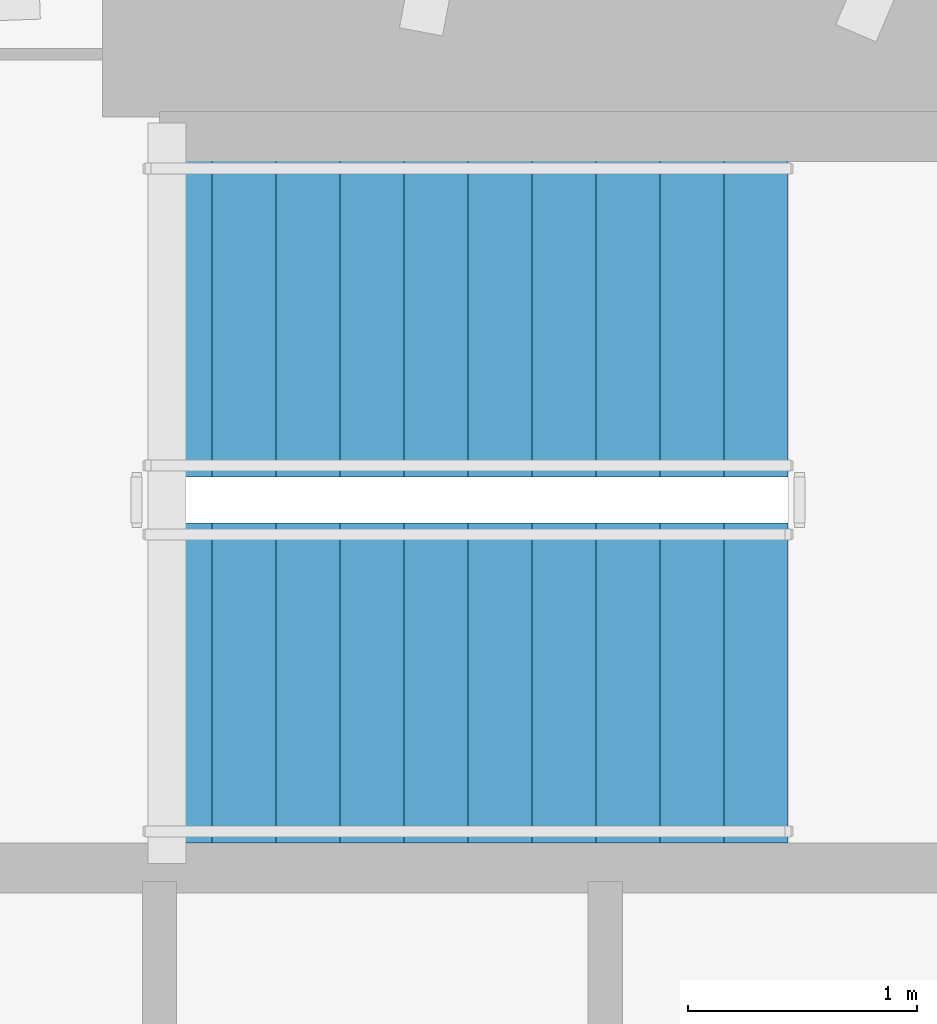
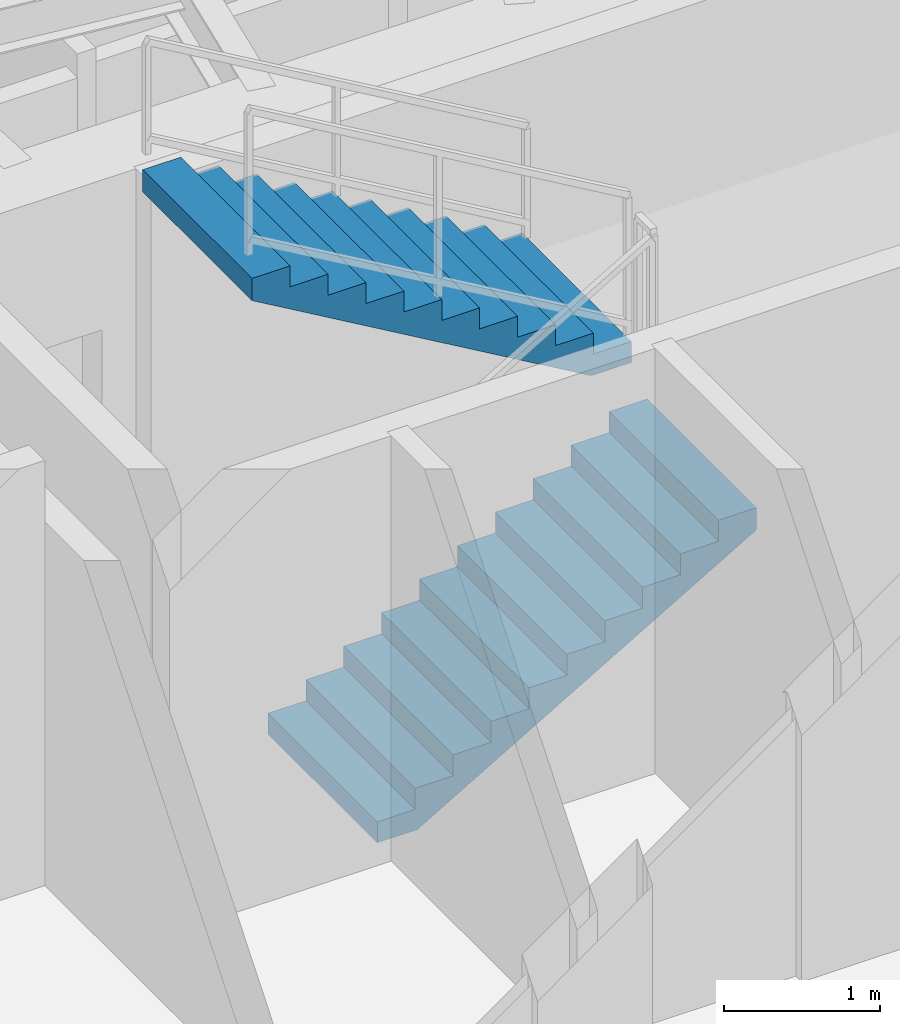
# One storey, part 17 of 19: 2 stair flights, 1 element without a shape of its own.
"""IFC4 building model written with IfcOpenShell, lengths in metres."""

import ifcopenshell
import ifcopenshell.guid

model = None  # the IFC model being written
_history = None  # IfcOwnerHistory: only IFC2X3 demands one
_inside = {}  # id of a spatial element -> (the spatial element, [elements in it])
_under = {}  # id of a project, library or spatial element -> (it, [spatial elements below it])
_declared = {}  # id of a project -> (the project, [libraries it declares])
_typed = {}  # id of a type object -> (the type object, [elements of that type])
_made_of = {}  # id of a material, layer set ... -> (it, [elements and type objects made of it])


def new_model(schema):
    """Start an empty IFC model of exactly this schema.

    Asked for "IFC4X3", IfcOpenShell would pick the latest addendum, in which some entities
    have other attributes; the version numbers below select the first issue.
    IFC2X3 requires an IfcOwnerHistory on every rooted entity: one is made here for all.
    """
    global model, _history
    if schema == "IFC4X3":
        model = ifcopenshell.file(schema_version=(4, 3, 0, 0))
    else:
        model = ifcopenshell.file(schema=schema)
    _inside.clear()
    _under.clear()
    _declared.clear()
    _typed.clear()
    _made_of.clear()
    _history = None
    if model.schema == "IFC2X3":
        org = make("IfcOrganization", Name="unknown")
        user = make(
            "IfcPersonAndOrganization",
            ThePerson=make("IfcPerson", FamilyName="unknown"),
            TheOrganization=org,
        )
        app = make(
            "IfcApplication",
            ApplicationDeveloper=org,
            Version="unknown",
            ApplicationFullName="unknown",
            ApplicationIdentifier="unknown",
        )
        _history = make(
            "IfcOwnerHistory",
            OwningUser=user,
            OwningApplication=app,
            ChangeAction="ADDED",
            CreationDate=0,
        )
    return model


def make(cls, **values):
    """One entity of the class cls with the attributes given. An attribute that is None is left unset."""
    return model.create_entity(
        cls, **{name: value for name, value in values.items() if value is not None}
    )


def rooted(cls, **values):
    """An entity with a GlobalId (a new one), such as an element, a storey or a relation."""
    return make(cls, GlobalId=ifcopenshell.guid.new(), OwnerHistory=_history, **values)


def si_unit(unit_type, name, prefix=None):
    """IfcSIUnit, for example si_unit("LENGTHUNIT", "METRE", prefix="MILLI")."""
    return make("IfcSIUnit", UnitType=unit_type, Prefix=prefix, Name=name)


def assignment(units):
    """IfcUnitAssignment: the units of a project."""
    return None if units is None else make("IfcUnitAssignment", Units=units)


def point(xyz):
    """IfcCartesianPoint."""
    return None if xyz is None else make("IfcCartesianPoint", Coordinates=xyz)


def direction(xyz):
    """IfcDirection."""
    return None if xyz is None else make("IfcDirection", DirectionRatios=xyz)


def frame(location, z_axis=None, x_axis=None):
    """IfcAxis2Placement3D, a coordinate frame: its origin and axes. An axis left out is left unset."""
    return make(
        "IfcAxis2Placement3D",
        Location=point(location),
        Axis=direction(z_axis),
        RefDirection=direction(x_axis),
    )


def origin():
    """The frame at (0, 0, 0) with its axes left unset."""
    return frame((0.0, 0.0, 0.0))


def place(relative_to, where):
    """IfcLocalPlacement: puts the frame where relative to a parent placement (None: the world)."""
    return make(
        "IfcLocalPlacement", PlacementRelTo=relative_to, RelativePlacement=where
    )


def context(
    kind, dimensions, precision=None, world=None, true_north=None, identifier=None
):
    """IfcGeometricRepresentationContext, for example the 3D "Model" context."""
    return make(
        "IfcGeometricRepresentationContext",
        ContextIdentifier=identifier,
        ContextType=kind,
        CoordinateSpaceDimension=dimensions,
        Precision=precision,
        WorldCoordinateSystem=world,
        TrueNorth=true_north,
    )


def subcontext(parent, identifier, kind, view, scale=None):
    """IfcGeometricRepresentationSubContext, for example "Body" below "Model"."""
    return make(
        "IfcGeometricRepresentationSubContext",
        ContextIdentifier=identifier,
        ContextType=kind,
        ParentContext=parent,
        TargetScale=scale,
        TargetView=view,
    )


def project(units=None, contexts=None):
    """IfcProject with its units and contexts."""
    return rooted(
        "IfcProject",
        Name="project",
        RepresentationContexts=contexts,
        UnitsInContext=assignment(units),
    )


def spatial(cls, under=None, at=None, **own):
    """A site, building, storey or space (cls), placed at a placement, below another one or the project."""
    s = rooted(cls, ObjectPlacement=at, **own)
    if under is not None:
        _under.setdefault(under.id(), (under, []))[1].append(s)
    return s


def polyline(points):
    """IfcPolyline through the points."""
    return make("IfcPolyline", Points=[point(p) for p in points])


def outline(outer, holes=None, kind="AREA"):
    """IfcArbitraryClosedProfileDef: a profile drawn as a closed curve; with holes, ...WithVoids."""
    if holes is None:
        return make("IfcArbitraryClosedProfileDef", ProfileType=kind, OuterCurve=outer)
    return make(
        "IfcArbitraryProfileDefWithVoids",
        ProfileType=kind,
        OuterCurve=outer,
        InnerCurves=holes,
    )


def extrude(swept, where, along, depth):
    """IfcExtrudedAreaSolid: the profile swept, set in the frame where, extruded along a direction by depth."""
    return make(
        "IfcExtrudedAreaSolid",
        SweptArea=swept,
        Position=where,
        ExtrudedDirection=direction(along),
        Depth=depth,
    )


def shape(context_of_items, identifier, shape_type, items):
    """IfcShapeRepresentation: the items that make up one representation, for example the "Body"."""
    return make(
        "IfcShapeRepresentation",
        ContextOfItems=context_of_items,
        RepresentationIdentifier=identifier,
        RepresentationType=shape_type,
        Items=items,
    )


def material(Name=None, Category=None):
    """IfcMaterial."""
    return make("IfcMaterial", Name=Name, Category=Category)


def made_of(thing, what):
    """Note that an element or type object is made of a material, layer set ...; save() writes the relation."""
    if what is not None:
        _made_of.setdefault(what.id(), (what, []))[1].append(thing)
    return thing


def type_object(cls, material=None, **own):
    """A type object (cls), such as IfcWallType, which elements share."""
    return made_of(rooted(cls, **own), material)


def element(
    cls,
    number,
    at=None,
    inside=None,
    cuts=None,
    type_object=None,
    material=None,
    context=None,
    identifier="Body",
    shape_type=None,
    held_by="IfcProductDefinitionShape",
    body=None,
    shapes=None,
    **own,
):
    """One element of the class cls, such as IfcWall. Its Tag is "e" and its number.

    at: its placement. inside: the storey or other place that contains it. cuts: it is an
    opening in that element (IfcRelVoidsElement). A single representation is given by context,
    identifier, shape_type and body (its items); several are given by shapes. held_by: the class
    of the entity that holds the representations. save() writes the other relations.
    """
    e = rooted(cls, Tag="e%d" % number, ObjectPlacement=at, **own)
    if body is not None:
        shapes = [shape(context, identifier, shape_type, body)]
    if shapes is not None:
        e.Representation = make(held_by, Representations=shapes)
    if inside is not None:
        _inside.setdefault(inside.id(), (inside, []))[1].append(e)
    if cuts is not None:
        rooted(
            "IfcRelVoidsElement", RelatingBuildingElement=cuts, RelatedOpeningElement=e
        )
    if type_object is not None:
        _typed.setdefault(type_object.id(), (type_object, []))[1].append(e)
    return made_of(e, material)


def aggregate(whole, parts):
    """IfcRelAggregates: a whole, such as a stair, and the parts it consists of."""
    return rooted("IfcRelAggregates", RelatingObject=whole, RelatedObjects=parts)


def save(model, path):
    """Write the relations noted so far, then the file.

    IfcRelAggregates (storeys below a building ...), IfcRelContainedInSpatialStructure (elements
    in a storey), IfcRelDefinesByType, IfcRelAssociatesMaterial and IfcRelDeclares: one each for
    every whole, place, type object, material and project.
    """
    for whole, parts in _under.values():
        aggregate(whole, parts)
    for where, things in _inside.values():
        rooted(
            "IfcRelContainedInSpatialStructure",
            RelatedElements=things,
            RelatingStructure=where,
        )
    for kind, things in _typed.values():
        rooted("IfcRelDefinesByType", RelatedObjects=things, RelatingType=kind)
    for what, things in _made_of.values():
        rooted("IfcRelAssociatesMaterial", RelatedObjects=things, RelatingMaterial=what)
    for by, libraries in _declared.values():
        rooted("IfcRelDeclares", RelatingContext=by, RelatedDefinitions=libraries)
    model.write(path)


model = new_model("IFC4")

# Units and contexts
model_context = context("Model", 3, precision=1e-05, world=origin(), true_north=direction((0.0, 1.0)))
body_context = subcontext(model_context, "Body", "Model", "MODEL_VIEW")
ifc_project = project(units=[si_unit("LENGTHUNIT", "METRE"), si_unit("AREAUNIT", "SQUARE_METRE"), si_unit("VOLUMEUNIT", "CUBIC_METRE"), si_unit("PLANEANGLEUNIT", "RADIAN"), si_unit("MASSUNIT", "GRAM", prefix="KILO")], contexts=[model_context])

# Site, building, storey
site_placement = place(None, origin())
site = spatial("IfcSite", under=ifc_project, at=site_placement, CompositionType="ELEMENT")
building_placement = place(site_placement, origin())
building = spatial("IfcBuilding", under=site, at=building_placement, Name="Qarnah Convention Tower", CompositionType="ELEMENT")
storey_placement = place(building_placement, frame((0.0, 0.0, 260.699951171875)))
storey = spatial("IfcBuildingStorey", under=building, at=storey_placement, Name="L70", CompositionType="ELEMENT", Elevation=260.699951171875)

# Stair, stair flights
ifc_material = material(Name="Concrete C50/60", Category="concrete")
stair_type = type_object("IfcStairType", Name="STR-OFF", PredefinedType="HALF_TURN_STAIR", material=ifc_material)
stair_placement = place(storey_placement, origin())
stair = element("IfcStair", 1, at=stair_placement, inside=storey, type_object=stair_type, Name="L70 Core exit stair ST-3", PredefinedType="HALF_TURN_STAIR")
stair_flight_type = type_object("IfcStairFlightType", Name="FLT-OFF", PredefinedType="STRAIGHT", material=ifc_material)
stair_flight_1_placement = place(storey_placement, frame((37.5, 31.449951171875, 0.0), z_axis=(0.0, 0.0, 1.0), x_axis=(1.0, 0.0, 0.0)))
stair_flight_1 = element("IfcStairFlight", 2, at=stair_flight_1_placement, type_object=stair_flight_type, Name="ST-3 flight 1", NumberOfRisers=11, NumberOfTreads=10, PredefinedType="STRAIGHT", RiserHeight=0.163636364, TreadLength=0.28, context=body_context, shape_type="SweptSolid", body=[
    extrude(outline(polyline([(0.0, 0.0), (0.0, 0.16357421875), (0.280029296875, 0.16357421875), (0.280029296875, 0.327392578125), (0.56005859375, 0.327392578125), (0.56005859375, 0.490966796875), (0.840087890625, 0.490966796875), (0.840087890625, 0.654541015625), (1.1201171875, 0.654541015625), (1.1201171875, 0.818115234375), (1.39990234375, 0.818115234375), (1.39990234375, 0.98193359375), (1.679931640625, 0.98193359375), (1.679931640625, 1.1455078125), (1.9599609375, 1.1455078125), (1.9599609375, 1.30908203125), (2.239990234375, 1.30908203125), (2.239990234375, 1.47265625), (2.52001953125, 1.47265625), (2.52001953125, 1.636474609375), (2.800048828125, 1.636474609375), (2.800048828125, 1.800048828125), (2.800048828125, 1.462646484375), (0.297119140625, 0.0), (0.0, 0.0)])), frame((0.0, 0.699951171875, 0.0), z_axis=(0.0, -1.0, 0.0), x_axis=(1.0, 0.0, 0.0)), (0.0, 0.0, 1.0), 1.39990234375),
])
stair_flight_2_placement = place(storey_placement, frame((40.300048828125, 33.050048828125, 1.800048828125), z_axis=(0.0, 0.0, 1.0), x_axis=(-1.0, 0.0, 0.0)))
stair_flight_2 = element("IfcStairFlight", 3, at=stair_flight_2_placement, type_object=stair_flight_type, Name="ST-3 flight 2", NumberOfRisers=11, NumberOfTreads=10, PredefinedType="STRAIGHT", RiserHeight=0.163636364, TreadLength=0.28, context=body_context, shape_type="SweptSolid", body=[
    extrude(outline(polyline([(0.0, 0.0), (0.0, 0.16357421875), (0.280029296875, 0.16357421875), (0.280029296875, 0.327392578125), (0.56005859375, 0.327392578125), (0.56005859375, 0.490966796875), (0.840087890625, 0.490966796875), (0.840087890625, 0.654541015625), (1.1201171875, 0.654541015625), (1.1201171875, 0.818115234375), (1.39990234375, 0.818115234375), (1.39990234375, 0.98193359375), (1.679931640625, 0.98193359375), (1.679931640625, 1.1455078125), (1.9599609375, 1.1455078125), (1.9599609375, 1.30908203125), (2.239990234375, 1.30908203125), (2.239990234375, 1.47265625), (2.52001953125, 1.47265625), (2.52001953125, 1.636474609375), (2.800048828125, 1.636474609375), (2.800048828125, 1.800048828125), (2.800048828125, 1.462646484375), (0.297119140625, 0.0), (0.0, 0.0)])), frame((0.0, 0.699951171875, 0.0), z_axis=(0.0, -1.0, 0.0), x_axis=(1.0, 0.0, 0.0)), (0.0, 0.0, 1.0), 1.39990234375),
])
aggregate(stair, [stair_flight_1, stair_flight_2])

save(model, "model.ifc")
